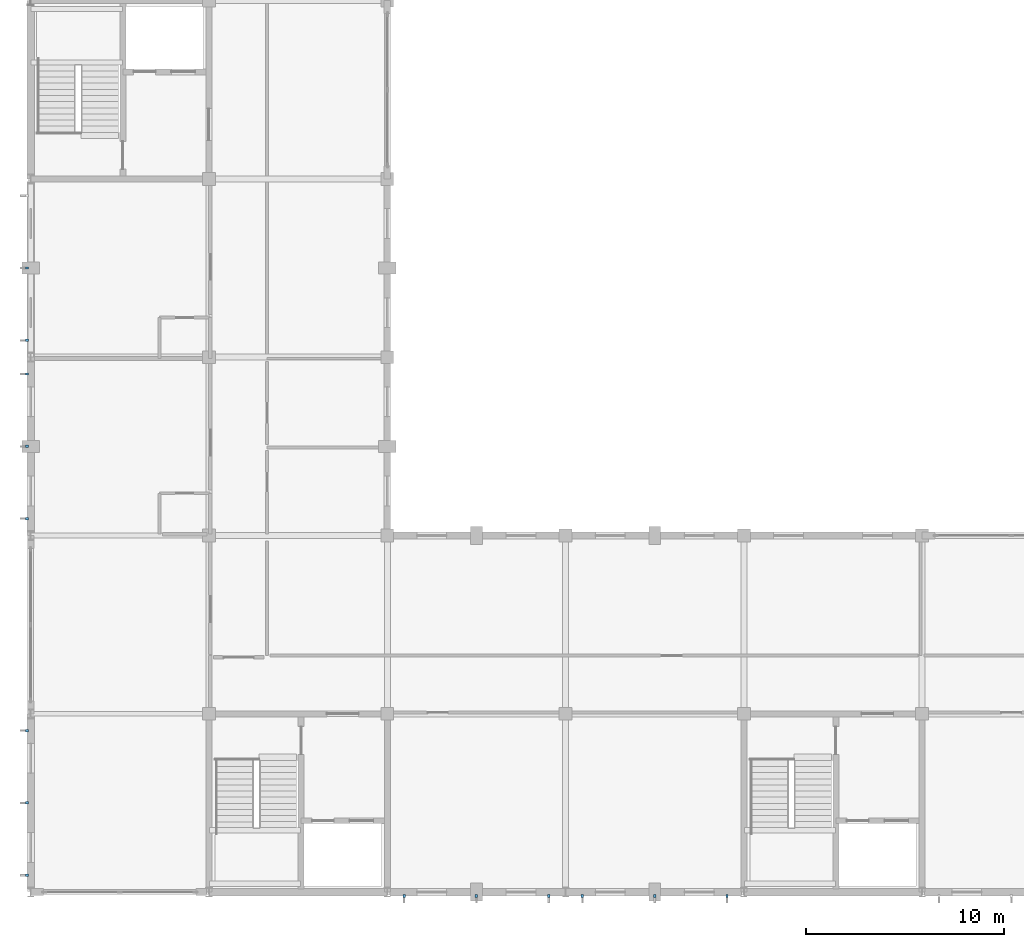
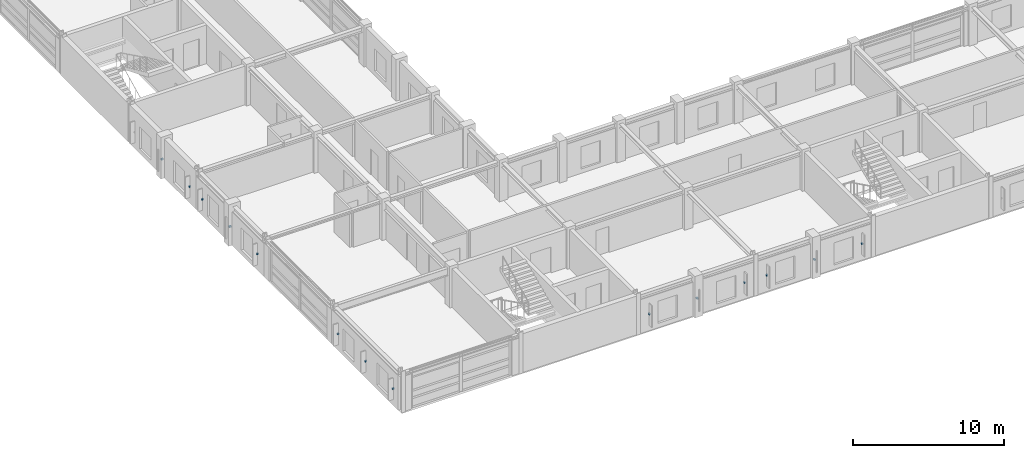
# One storey, part 81 of 91: 14 discrete accessories.
"""IFC4 building model written with IfcOpenShell, lengths in metres."""

from ifc_helpers import new_model, si_unit, direction, frame, origin, origin_2d, place, context, subcontext, project, spatial, rectangle, extrude, material, type_object, element, save


model = new_model("IFC4")

# Units and contexts
model_context = context("Model", 3, precision=1e-05, world=origin(), true_north=direction((0.0, 1.0)))
body_context = subcontext(model_context, "Body", "Model", "MODEL_VIEW")
ifc_project = project(units=[si_unit("LENGTHUNIT", "METRE"), si_unit("AREAUNIT", "SQUARE_METRE"), si_unit("VOLUMEUNIT", "CUBIC_METRE"), si_unit("PLANEANGLEUNIT", "RADIAN"), si_unit("MASSUNIT", "GRAM", prefix="KILO")], contexts=[model_context])

# Site, building, storey
site_placement = place(None, origin())
site = spatial("IfcSite", under=ifc_project, at=site_placement, CompositionType="ELEMENT")
building_placement = place(site_placement, origin())
building = spatial("IfcBuilding", under=site, at=building_placement, Name="Palais des Congres Ocreval", CompositionType="ELEMENT")
storey_placement = place(building_placement, frame((0.0, 0.0, 8.159912109375)))
storey = spatial("IfcBuildingStorey", under=building, at=storey_placement, Name="L02", CompositionType="ELEMENT", Elevation=8.159912109375)

# Discrete accessories
ifc_material = material(Name="Steel S355", Category="steel")
discrete_accessory_type = type_object("IfcDiscreteAccessoryType", Name="Stainless Brise-Soleil Fixing Bracket", PredefinedType="BRACKET", material=ifc_material)
for number, where, z_axis, x_axis, name in (
    (1, (35.14990234375, -0.18994140625, 1.2900390625), (0.0, 0.0, 1.0), (0.0, -1.0, 0.0), "Celosia Fixing Bracket BK01"),
    (2, (31.5, -0.18994140625, 1.2900390625), (0.0, 0.0, 1.0), (0.0, -1.0, 0.0), "Celosia Fixing Bracket BK01"),
    (3, (27.85009765625, -0.18994140625, 1.2900390625), (0.0, 0.0, 1.0), (0.0, -1.0, 0.0), "Celosia Fixing Bracket BK01"),
    (4, (26.14990234375, -0.18994140625, 1.2900390625), (0.0, 0.0, 1.0), (0.0, -1.0, 0.0), "Celosia Fixing Bracket BK01"),
    (5, (22.5, -0.18994140625, 1.2900390625), (0.0, 0.0, 1.0), (0.0, -1.0, 0.0), "Celosia Fixing Bracket BK01"),
    (6, (18.85009765625, -0.18994140625, 1.2900390625), (0.0, 0.0, 1.0), (0.0, -1.0, 0.0), "Celosia Fixing Bracket BK01"),
    (7, (-0.18994140625, 0.85009765625, 1.2900390625), (0.0, 0.0, 1.0), (-1.0, 0.0, 0.0), "Celosia Fixing Bracket BK01"),
    (8, (-0.18994140625, 4.5, 1.2900390625), (0.0, 0.0, 1.0), (-1.0, 0.0, 0.0), "Celosia Fixing Bracket BK01"),
    (9, (-0.18994140625, 8.14990234375, 1.2900390625), (0.0, 0.0, 1.0), (-1.0, 0.0, 0.0), "Celosia Fixing Bracket BK01"),
    (10, (-0.18994140625, 18.85009765625, 1.2900390625), (0.0, 0.0, 1.0), (-1.0, 0.0, 0.0), "Celosia Fixing Bracket BK01"),
    (11, (-0.18994140625, 22.5, 1.2900390625), (0.0, 0.0, 1.0), (-1.0, 0.0, 0.0), "Celosia Fixing Bracket BK01"),
    (12, (-0.18994140625, 26.14990234375, 1.2900390625), (0.0, 0.0, 1.0), (-1.0, 0.0, 0.0), "Celosia Fixing Bracket BK01"),
    (13, (-0.18994140625, 27.85009765625, 1.2900390625), (0.0, 0.0, 1.0), (-1.0, 0.0, 0.0), "Celosia Fixing Bracket BK01"),
    (14, (-0.18994140625, 31.5, 1.2900390625), (0.0, 0.0, 1.0), (-1.0, 0.0, 0.0), "Celosia Fixing Bracket BK01"),
):
    element("IfcDiscreteAccessory", number, at=place(storey_placement, frame(where, z_axis=z_axis, x_axis=x_axis)), inside=storey, type_object=discrete_accessory_type, Name=name, PredefinedType="BRACKET", context=body_context, shape_type="SweptSolid", body=[
        extrude(rectangle(XDim=0.159912109375, YDim=0.1201171875, at=origin_2d()), origin(), (0.0, 0.0, 1.0), 0.1201171875),
    ])

save(model, "model.ifc")
